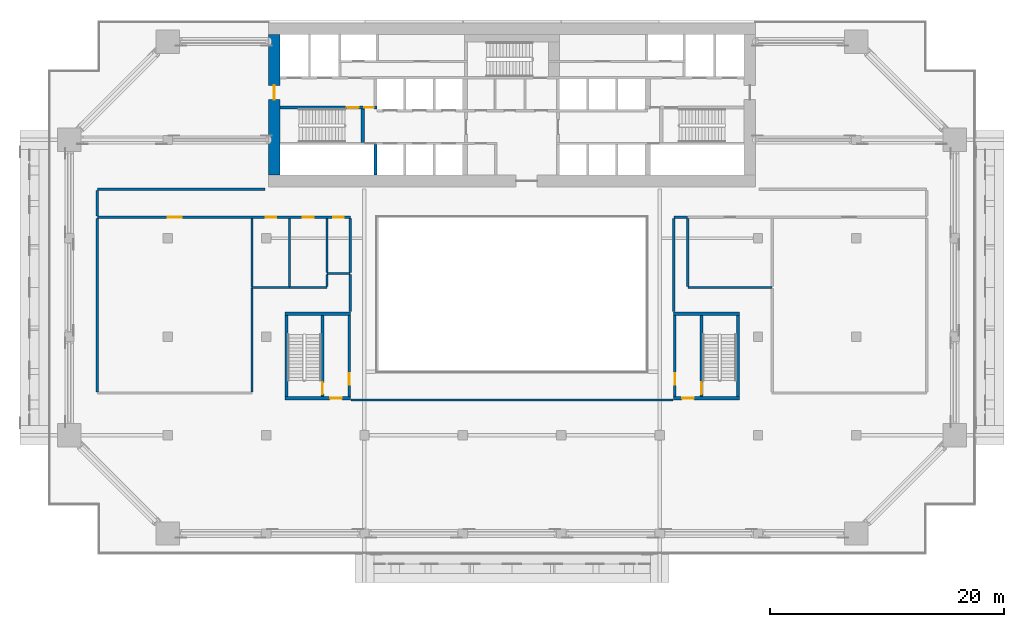
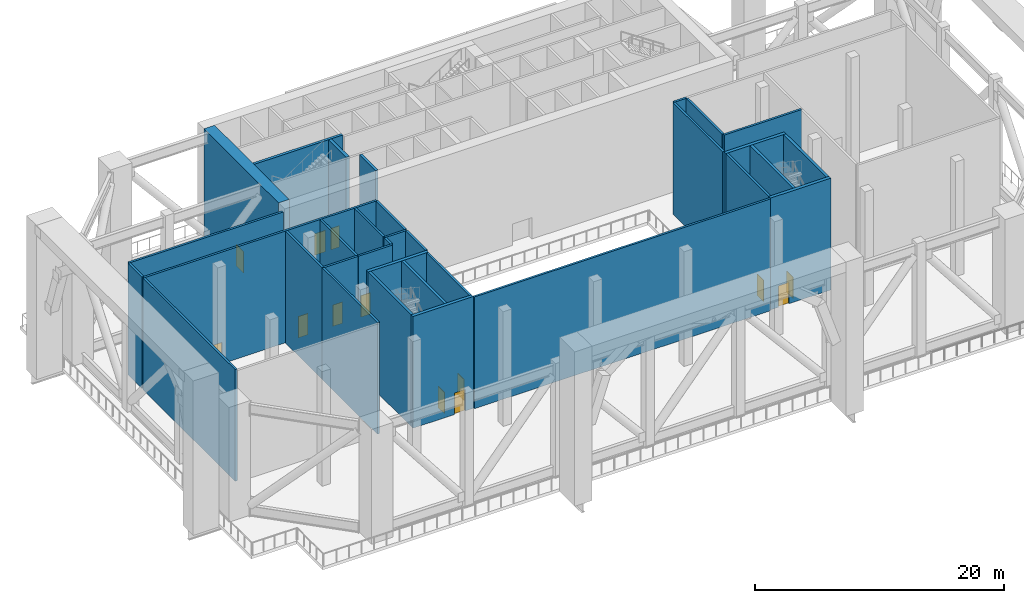
# One storey, part 4 of 19: 33 walls, 13 doors, 13 openings.
"""IFC4 building model written with IfcOpenShell, lengths in metres."""

import ifcopenshell
import ifcopenshell.guid

model = None  # the IFC model being written
_history = None  # IfcOwnerHistory: only IFC2X3 demands one
_inside = {}  # id of a spatial element -> (the spatial element, [elements in it])
_under = {}  # id of a project, library or spatial element -> (it, [spatial elements below it])
_declared = {}  # id of a project -> (the project, [libraries it declares])
_typed = {}  # id of a type object -> (the type object, [elements of that type])
_made_of = {}  # id of a material, layer set ... -> (it, [elements and type objects made of it])


def new_model(schema):
    """Start an empty IFC model of exactly this schema.

    Asked for "IFC4X3", IfcOpenShell would pick the latest addendum, in which some entities
    have other attributes; the version numbers below select the first issue.
    IFC2X3 requires an IfcOwnerHistory on every rooted entity: one is made here for all.
    """
    global model, _history
    if schema == "IFC4X3":
        model = ifcopenshell.file(schema_version=(4, 3, 0, 0))
    else:
        model = ifcopenshell.file(schema=schema)
    _inside.clear()
    _under.clear()
    _declared.clear()
    _typed.clear()
    _made_of.clear()
    _history = None
    if model.schema == "IFC2X3":
        org = make("IfcOrganization", Name="unknown")
        user = make(
            "IfcPersonAndOrganization",
            ThePerson=make("IfcPerson", FamilyName="unknown"),
            TheOrganization=org,
        )
        app = make(
            "IfcApplication",
            ApplicationDeveloper=org,
            Version="unknown",
            ApplicationFullName="unknown",
            ApplicationIdentifier="unknown",
        )
        _history = make(
            "IfcOwnerHistory",
            OwningUser=user,
            OwningApplication=app,
            ChangeAction="ADDED",
            CreationDate=0,
        )
    return model


def make(cls, **values):
    """One entity of the class cls with the attributes given. An attribute that is None is left unset."""
    return model.create_entity(
        cls, **{name: value for name, value in values.items() if value is not None}
    )


def rooted(cls, **values):
    """An entity with a GlobalId (a new one), such as an element, a storey or a relation."""
    return make(cls, GlobalId=ifcopenshell.guid.new(), OwnerHistory=_history, **values)


def si_unit(unit_type, name, prefix=None):
    """IfcSIUnit, for example si_unit("LENGTHUNIT", "METRE", prefix="MILLI")."""
    return make("IfcSIUnit", UnitType=unit_type, Prefix=prefix, Name=name)


def assignment(units):
    """IfcUnitAssignment: the units of a project."""
    return None if units is None else make("IfcUnitAssignment", Units=units)


def point(xyz):
    """IfcCartesianPoint."""
    return None if xyz is None else make("IfcCartesianPoint", Coordinates=xyz)


def direction(xyz):
    """IfcDirection."""
    return None if xyz is None else make("IfcDirection", DirectionRatios=xyz)


def frame(location, z_axis=None, x_axis=None):
    """IfcAxis2Placement3D, a coordinate frame: its origin and axes. An axis left out is left unset."""
    return make(
        "IfcAxis2Placement3D",
        Location=point(location),
        Axis=direction(z_axis),
        RefDirection=direction(x_axis),
    )


def frame_2d(location, x_axis=None):
    """IfcAxis2Placement2D, a coordinate frame in the plane: its origin and x axis."""
    return make(
        "IfcAxis2Placement2D", Location=point(location), RefDirection=direction(x_axis)
    )


def origin():
    """The frame at (0, 0, 0) with its axes left unset."""
    return frame((0.0, 0.0, 0.0))


def place(relative_to, where):
    """IfcLocalPlacement: puts the frame where relative to a parent placement (None: the world)."""
    return make(
        "IfcLocalPlacement", PlacementRelTo=relative_to, RelativePlacement=where
    )


def context(
    kind, dimensions, precision=None, world=None, true_north=None, identifier=None
):
    """IfcGeometricRepresentationContext, for example the 3D "Model" context."""
    return make(
        "IfcGeometricRepresentationContext",
        ContextIdentifier=identifier,
        ContextType=kind,
        CoordinateSpaceDimension=dimensions,
        Precision=precision,
        WorldCoordinateSystem=world,
        TrueNorth=true_north,
    )


def subcontext(parent, identifier, kind, view, scale=None):
    """IfcGeometricRepresentationSubContext, for example "Body" below "Model"."""
    return make(
        "IfcGeometricRepresentationSubContext",
        ContextIdentifier=identifier,
        ContextType=kind,
        ParentContext=parent,
        TargetScale=scale,
        TargetView=view,
    )


def project(units=None, contexts=None):
    """IfcProject with its units and contexts."""
    return rooted(
        "IfcProject",
        Name="project",
        RepresentationContexts=contexts,
        UnitsInContext=assignment(units),
    )


def spatial(cls, under=None, at=None, **own):
    """A site, building, storey or space (cls), placed at a placement, below another one or the project."""
    s = rooted(cls, ObjectPlacement=at, **own)
    if under is not None:
        _under.setdefault(under.id(), (under, []))[1].append(s)
    return s


def profile(cls, at=None, kind="AREA", **sizes):
    """A parametric profile (cls). Its sizes go by their IFC names, for example OverallWidth=200.0."""
    return make(cls, ProfileType=kind, Position=at, **sizes)


def rectangle(**sizes):
    """IfcRectangleProfileDef."""
    return profile("IfcRectangleProfileDef", **sizes)


def extrude(swept, where, along, depth):
    """IfcExtrudedAreaSolid: the profile swept, set in the frame where, extruded along a direction by depth."""
    return make(
        "IfcExtrudedAreaSolid",
        SweptArea=swept,
        Position=where,
        ExtrudedDirection=direction(along),
        Depth=depth,
    )


def shape(context_of_items, identifier, shape_type, items):
    """IfcShapeRepresentation: the items that make up one representation, for example the "Body"."""
    return make(
        "IfcShapeRepresentation",
        ContextOfItems=context_of_items,
        RepresentationIdentifier=identifier,
        RepresentationType=shape_type,
        Items=items,
    )


def material(Name=None, Category=None):
    """IfcMaterial."""
    return make("IfcMaterial", Name=Name, Category=Category)


def layer(
    of_material, thickness, ventilated=None, Name=None, Category=None, Priority=None
):
    """IfcMaterialLayer: one layer of a wall or slab, of a material (None: an air gap)."""
    return make(
        "IfcMaterialLayer",
        Material=of_material,
        LayerThickness=thickness,
        IsVentilated=ventilated,
        Name=Name,
        Category=Category,
        Priority=Priority,
    )


def layer_set(layers, Name=None):
    """IfcMaterialLayerSet."""
    return make("IfcMaterialLayerSet", MaterialLayers=layers, LayerSetName=Name)


def made_of(thing, what):
    """Note that an element or type object is made of a material, layer set ...; save() writes the relation."""
    if what is not None:
        _made_of.setdefault(what.id(), (what, []))[1].append(thing)
    return thing


def type_object(cls, material=None, **own):
    """A type object (cls), such as IfcWallType, which elements share."""
    return made_of(rooted(cls, **own), material)


def element(
    cls,
    number,
    at=None,
    inside=None,
    cuts=None,
    type_object=None,
    material=None,
    context=None,
    identifier="Body",
    shape_type=None,
    held_by="IfcProductDefinitionShape",
    body=None,
    shapes=None,
    **own,
):
    """One element of the class cls, such as IfcWall. Its Tag is "e" and its number.

    at: its placement. inside: the storey or other place that contains it. cuts: it is an
    opening in that element (IfcRelVoidsElement). A single representation is given by context,
    identifier, shape_type and body (its items); several are given by shapes. held_by: the class
    of the entity that holds the representations. save() writes the other relations.
    """
    e = rooted(cls, Tag="e%d" % number, ObjectPlacement=at, **own)
    if body is not None:
        shapes = [shape(context, identifier, shape_type, body)]
    if shapes is not None:
        e.Representation = make(held_by, Representations=shapes)
    if inside is not None:
        _inside.setdefault(inside.id(), (inside, []))[1].append(e)
    if cuts is not None:
        rooted(
            "IfcRelVoidsElement", RelatingBuildingElement=cuts, RelatedOpeningElement=e
        )
    if type_object is not None:
        _typed.setdefault(type_object.id(), (type_object, []))[1].append(e)
    return made_of(e, material)


def fill(opening, filler):
    """IfcRelFillsElement: the door or window that sits in an opening."""
    return rooted(
        "IfcRelFillsElement",
        RelatingOpeningElement=opening,
        RelatedBuildingElement=filler,
    )


def aggregate(whole, parts):
    """IfcRelAggregates: a whole, such as a stair, and the parts it consists of."""
    return rooted("IfcRelAggregates", RelatingObject=whole, RelatedObjects=parts)


def save(model, path):
    """Write the relations noted so far, then the file.

    IfcRelAggregates (storeys below a building ...), IfcRelContainedInSpatialStructure (elements
    in a storey), IfcRelDefinesByType, IfcRelAssociatesMaterial and IfcRelDeclares: one each for
    every whole, place, type object, material and project.
    """
    for whole, parts in _under.values():
        aggregate(whole, parts)
    for where, things in _inside.values():
        rooted(
            "IfcRelContainedInSpatialStructure",
            RelatedElements=things,
            RelatingStructure=where,
        )
    for kind, things in _typed.values():
        rooted("IfcRelDefinesByType", RelatedObjects=things, RelatingType=kind)
    for what, things in _made_of.values():
        rooted("IfcRelAssociatesMaterial", RelatedObjects=things, RelatingMaterial=what)
    for by, libraries in _declared.values():
        rooted("IfcRelDeclares", RelatingContext=by, RelatedDefinitions=libraries)
    model.write(path)


model = new_model("IFC4")

# Units and contexts
model_context = context("Model", 3, precision=1e-05, world=origin(), true_north=direction((0.0, 1.0)))
body_context = subcontext(model_context, "Body", "Model", "MODEL_VIEW")
ifc_project = project(units=[si_unit("LENGTHUNIT", "METRE"), si_unit("AREAUNIT", "SQUARE_METRE"), si_unit("VOLUMEUNIT", "CUBIC_METRE"), si_unit("PLANEANGLEUNIT", "RADIAN"), si_unit("MASSUNIT", "GRAM", prefix="KILO")], contexts=[model_context])

# Site, building, storey
site_placement = place(None, origin())
site = spatial("IfcSite", under=ifc_project, at=site_placement, CompositionType="ELEMENT")
building_placement = place(site_placement, origin())
building = spatial("IfcBuilding", under=site, at=building_placement, Name="Saffron Gate Tower", CompositionType="ELEMENT")
storey_placement = place(building_placement, frame((0.0, 0.0, 84.0)))
storey = spatial("IfcBuildingStorey", under=building, at=storey_placement, Name="L20", CompositionType="ELEMENT", Elevation=84.0)

# Wall, opening, door
ifc_material_1 = material(Name="Gypsum board partition on steel studs", Category="steel")
ifc_layer_1 = layer(ifc_material_1, 0.199951171875)
ifc_layer_set_1 = layer_set([ifc_layer_1], Name="CW10 Core partition 200")
wall_type_1 = type_object("IfcWallType", Name="CW10 Core partition 200", PredefinedType="PARTITIONING", material=ifc_layer_set_1)
wall_1_placement = place(storey_placement, frame((73.699951171875, 43.5, 0.0), z_axis=(0.0, 0.0, 1.0), x_axis=(0.0, 1.0, 0.0)))
wall_1 = element("IfcWall", 1, at=wall_1_placement, inside=storey, type_object=wall_type_1, Name="Wall CW10-L20-D-4", PredefinedType="PARTITIONING", context=body_context, shape_type="SweptSolid", body=[
    extrude(rectangle(XDim=6.89990234375, YDim=0.199951171875, at=frame_2d((3.449951171875, 0.0))), origin(), (0.0, 0.0, 1.0), 10.969970703125),
])
opening_1_placement = place(wall_1_placement, frame((1.0, 0.0, 0.0)))
opening_1 = element("IfcOpeningElement", 2, at=opening_1_placement, cuts=wall_1, Name="Opening CR-19", PredefinedType="OPENING", context=body_context, shape_type="SweptSolid", body=[
    extrude(rectangle(XDim=1.0, YDim=2.10009765625, at=frame_2d((0.5, 1.050048828125))), frame((0.0, 0.10986328125, 0.0), z_axis=(0.0, -1.0, 0.0), x_axis=(1.0, 0.0, 0.0)), (0.0, 0.0, 1.0), 0.219970703125),
])
ifc_material_2 = material(Name="Steel fire door set", Category="steel")
door_type_1 = type_object("IfcDoorType", Name="CD4 Lobby door 1000x2100 EI 120", OperationType="NOTDEFINED", PredefinedType="DOOR", material=ifc_material_2)
door_1_placement = place(opening_1_placement, origin())
door_1 = element("IfcDoor", 3, at=door_1_placement, inside=storey, type_object=door_type_1, Name="DOOR CR-19", OperationType="SINGLE_SWING_RIGHT", OverallHeight=2.10009765625, OverallWidth=1.0, PredefinedType="DOOR", context=body_context, shape_type="SweptSolid", body=[
    extrude(rectangle(XDim=1.0, YDim=2.10009765625, at=frame_2d((0.5, 1.050048828125))), frame((0.0, 0.02490234375, 0.0), z_axis=(0.0, -1.0, 0.0), x_axis=(1.0, 0.0, 0.0)), (0.0, 0.0, 1.0), 0.050048828125),
])
fill(opening_1, door_1)

wall_2_placement = place(storey_placement, frame((101.5, 43.5, 0.0), z_axis=(0.0, 0.0, 1.0), x_axis=(0.0, 1.0, 0.0)))
wall_2 = element("IfcWall", 4, at=wall_2_placement, inside=storey, type_object=wall_type_1, Name="Wall CW10-L20-E-2", PredefinedType="PARTITIONING", context=body_context, shape_type="SweptSolid", body=[
    extrude(rectangle(XDim=6.89990234375, YDim=0.199951171875, at=frame_2d((3.449951171875, 0.0))), origin(), (0.0, 0.0, 1.0), 10.969970703125),
])
opening_2_placement = place(wall_2_placement, frame((1.0, 0.0, 0.0)))
opening_2 = element("IfcOpeningElement", 5, at=opening_2_placement, cuts=wall_2, Name="Opening CR-22", PredefinedType="OPENING", context=body_context, shape_type="SweptSolid", body=[
    extrude(rectangle(XDim=1.0, YDim=2.10009765625, at=frame_2d((0.5, 1.050048828125))), frame((0.0, 0.10986328125, 0.0), z_axis=(0.0, -1.0, 0.0), x_axis=(1.0, 0.0, 0.0)), (0.0, 0.0, 1.0), 0.219970703125),
])
door_2_placement = place(opening_2_placement, origin())
door_2 = element("IfcDoor", 6, at=door_2_placement, inside=storey, type_object=door_type_1, Name="DOOR CR-22", OperationType="SINGLE_SWING_LEFT", OverallHeight=2.10009765625, OverallWidth=1.0, PredefinedType="DOOR", context=body_context, shape_type="SweptSolid", body=[
    extrude(rectangle(XDim=1.0, YDim=2.10009765625, at=frame_2d((0.5, 1.050048828125))), frame((0.0, 0.02490234375, 0.0), z_axis=(0.0, -1.0, 0.0), x_axis=(1.0, 0.0, 0.0)), (0.0, 0.0, 1.0), 0.050048828125),
])
fill(opening_2, door_2)

ifc_material_3 = material(Name="Concrete C70", Category="concrete")
ifc_layer_2 = layer(ifc_material_3, 1.0)
ifc_layer_set_2 = layer_set([ifc_layer_2], Name="CW12 RC core wall 1000 C70")
wall_type_2 = type_object("IfcWallType", Name="CW12 RC core wall 1000 C70", PredefinedType="SOLIDWALL", material=ifc_layer_set_2)
wall_3_placement = place(storey_placement, frame((67.300048828125, 62.39990234375, 0.0), z_axis=(0.0, 0.0, 1.0), x_axis=(0.0, 1.0, 0.0)))
wall_3 = element("IfcWall", 7, at=wall_3_placement, inside=storey, type_object=wall_type_2, Name="Wall CW12-L20-3", PredefinedType="SOLIDWALL", context=body_context, shape_type="SweptSolid", body=[
    extrude(rectangle(XDim=12.0, YDim=1.0, at=frame_2d((6.0, 0.0))), origin(), (0.0, 0.0, 1.0), 10.969970703125),
])
opening_3_placement = place(wall_3_placement, frame((6.449951171875, 0.0, 0.0)))
opening_3 = element("IfcOpeningElement", 8, at=opening_3_placement, cuts=wall_3, Name="Opening CR-10", PredefinedType="OPENING", context=body_context, shape_type="SweptSolid", body=[
    extrude(rectangle(XDim=1.199951171875, YDim=2.10009765625, at=frame_2d((0.60009765625, 1.050048828125))), frame((0.0, 0.510009765625, 0.0), z_axis=(0.0, -1.0, 0.0), x_axis=(1.0, 0.0, 0.0)), (0.0, 0.0, 1.0), 1.02001953125),
])
door_type_2 = type_object("IfcDoorType", Name="CD7 Core entrance door 1200x2100 EI 120", OperationType="NOTDEFINED", PredefinedType="DOOR", material=ifc_material_2)
door_3_placement = place(opening_3_placement, origin())
door_3 = element("IfcDoor", 9, at=door_3_placement, inside=storey, type_object=door_type_2, Name="DOOR CR-10", OperationType="SINGLE_SWING_LEFT", OverallHeight=2.10009765625, OverallWidth=1.199951171875, PredefinedType="DOOR", context=body_context, shape_type="SweptSolid", body=[
    extrude(rectangle(XDim=1.199951171875, YDim=2.10009765625, at=frame_2d((0.60009765625, 1.050048828125))), frame((0.0, 0.02490234375, 0.0), z_axis=(0.0, -1.0, 0.0), x_axis=(1.0, 0.0, 0.0)), (0.0, 0.0, 1.0), 0.050048828125),
])
fill(opening_3, door_3)

# Wall
ifc_layer_3 = layer(ifc_material_3, 0.25)
ifc_layer_set_3 = layer_set([ifc_layer_3], Name="CW2 RC core wall 250 C70")
wall_type_3 = type_object("IfcWallType", Name="CW2 RC core wall 250 C70", PredefinedType="SOLIDWALL", material=ifc_layer_set_3)
wall_4_placement = place(storey_placement, frame((75.925048828125, 62.39990234375, 0.0), z_axis=(0.0, 0.0, 1.0), x_axis=(0.0, 1.0, 0.0)))
element("IfcWall", 10, at=wall_4_placement, inside=storey, type_object=wall_type_3, Name="Wall CW2-L20-5", PredefinedType="SOLIDWALL", context=body_context, shape_type="SweptSolid", body=[
    extrude(rectangle(XDim=2.60009765625, YDim=0.25, at=frame_2d((1.300048828125, 0.0))), origin(), (0.0, 0.0, 1.0), 10.969970703125),
])

# Wall, openings, doors
wall_5_placement = place(storey_placement, frame((67.800048828125, 68.175048828125, 0.0), z_axis=(0.0, 0.0, 1.0), x_axis=(1.0, 0.0, 0.0)))
wall_5 = element("IfcWall", 11, at=wall_5_placement, inside=storey, type_object=wall_type_3, Name="Wall CW2-L20-30", PredefinedType="SOLIDWALL", context=body_context, shape_type="SweptSolid", body=[
    extrude(rectangle(XDim=8.25, YDim=0.25, at=frame_2d((4.125, 0.0))), origin(), (0.0, 0.0, 1.0), 10.969970703125),
])
opening_4_placement = place(wall_5_placement, frame((5.699951171875, 0.0, 0.0)))
opening_4 = element("IfcOpeningElement", 12, at=opening_4_placement, cuts=wall_5, Name="Opening CR-15", PredefinedType="OPENING", context=body_context, shape_type="SweptSolid", body=[
    extrude(rectangle(XDim=1.0, YDim=2.10009765625, at=frame_2d((0.5, 1.050048828125))), frame((0.0, 0.135009765625, 0.0), z_axis=(0.0, -1.0, 0.0), x_axis=(1.0, 0.0, 0.0)), (0.0, 0.0, 1.0), 0.27001953125),
])
opening_5_placement = place(wall_5_placement, frame((7.199951171875, 0.0, 0.0)))
opening_5 = element("IfcOpeningElement", 13, at=opening_5_placement, cuts=wall_5, Name="Opening CR-06", PredefinedType="OPENING", context=body_context, shape_type="SweptSolid", body=[
    extrude(rectangle(XDim=0.800048828125, YDim=2.10009765625, at=frame_2d((0.39990234375, 1.050048828125))), frame((0.0, 0.135009765625, 0.0), z_axis=(0.0, -1.0, 0.0), x_axis=(1.0, 0.0, 0.0)), (0.0, 0.0, 1.0), 0.27001953125),
])
door_type_3 = type_object("IfcDoorType", Name="CD5 Stair door 1000x2100 EI 120", OperationType="NOTDEFINED", PredefinedType="DOOR", material=ifc_material_2)
door_4_placement = place(opening_4_placement, origin())
door_4 = element("IfcDoor", 14, at=door_4_placement, inside=storey, type_object=door_type_3, Name="DOOR CR-15", OperationType="SINGLE_SWING_RIGHT", OverallHeight=2.10009765625, OverallWidth=1.0, PredefinedType="DOOR", context=body_context, shape_type="SweptSolid", body=[
    extrude(rectangle(XDim=1.0, YDim=2.10009765625, at=frame_2d((0.5, 1.050048828125))), frame((0.0, 0.02490234375, 0.0), z_axis=(0.0, -1.0, 0.0), x_axis=(1.0, 0.0, 0.0)), (0.0, 0.0, 1.0), 0.050048828125),
])
fill(opening_4, door_4)
door_type_4 = type_object("IfcDoorType", Name="CD6 Lobby door 800x2100 EI 120", OperationType="NOTDEFINED", PredefinedType="DOOR", material=ifc_material_2)
door_5_placement = place(opening_5_placement, origin())
door_5 = element("IfcDoor", 15, at=door_5_placement, inside=storey, type_object=door_type_4, Name="DOOR CR-06", OperationType="SINGLE_SWING_LEFT", OverallHeight=2.10009765625, OverallWidth=0.800048828125, PredefinedType="DOOR", context=body_context, shape_type="SweptSolid", body=[
    extrude(rectangle(XDim=0.800048828125, YDim=2.10009765625, at=frame_2d((0.39990234375, 1.050048828125))), frame((0.0, 0.02490234375, 0.0), z_axis=(0.0, -1.0, 0.0), x_axis=(1.0, 0.0, 0.0)), (0.0, 0.0, 1.0), 0.050048828125),
])
fill(opening_5, door_5)

# Wall
wall_6_placement = place(storey_placement, frame((68.324951171875, 43.5, 0.0), z_axis=(0.0, 0.0, 1.0), x_axis=(0.0, 1.0, 0.0)))
element("IfcWall", 16, at=wall_6_placement, inside=storey, type_object=wall_type_3, Name="Wall CW2-L20-D-2", PredefinedType="SOLIDWALL", context=body_context, shape_type="SweptSolid", body=[
    extrude(rectangle(XDim=6.89990234375, YDim=0.25, at=frame_2d((3.449951171875, 0.0))), origin(), (0.0, 0.0, 1.0), 10.969970703125),
])

# Wall, opening, door
wall_7_placement = place(storey_placement, frame((71.425048828125, 43.5, 0.0), z_axis=(0.0, 0.0, 1.0), x_axis=(0.0, 1.0, 0.0)))
wall_7 = element("IfcWall", 17, at=wall_7_placement, inside=storey, type_object=wall_type_3, Name="Wall CW2-L20-D-3", PredefinedType="SOLIDWALL", context=body_context, shape_type="SweptSolid", body=[
    extrude(rectangle(XDim=6.89990234375, YDim=0.25, at=frame_2d((3.449951171875, 0.0))), origin(), (0.0, 0.0, 1.0), 10.969970703125),
])
opening_6_placement = place(wall_7_placement, frame((0.199951171875, 0.0, 0.0)))
opening_6 = element("IfcOpeningElement", 18, at=opening_6_placement, cuts=wall_7, Name="Opening CR-20", PredefinedType="OPENING", context=body_context, shape_type="SweptSolid", body=[
    extrude(rectangle(XDim=1.0, YDim=2.10009765625, at=frame_2d((0.5, 1.050048828125))), frame((0.0, 0.135009765625, 0.0), z_axis=(0.0, -1.0, 0.0), x_axis=(1.0, 0.0, 0.0)), (0.0, 0.0, 1.0), 0.27001953125),
])
door_6_placement = place(opening_6_placement, origin())
door_6 = element("IfcDoor", 19, at=door_6_placement, inside=storey, type_object=door_type_3, Name="DOOR CR-20", OperationType="SINGLE_SWING_LEFT", OverallHeight=2.10009765625, OverallWidth=1.0, PredefinedType="DOOR", context=body_context, shape_type="SweptSolid", body=[
    extrude(rectangle(XDim=1.0, YDim=2.10009765625, at=frame_2d((0.5, 1.050048828125))), frame((0.0, 0.02490234375, 0.0), z_axis=(0.0, -1.0, 0.0), x_axis=(1.0, 0.0, 0.0)), (0.0, 0.0, 1.0), 0.050048828125),
])
fill(opening_6, door_6)

wall_8_placement = place(storey_placement, frame((103.77490234375, 43.5, 0.0), z_axis=(0.0, 0.0, 1.0), x_axis=(0.0, 1.0, 0.0)))
wall_8 = element("IfcWall", 20, at=wall_8_placement, inside=storey, type_object=wall_type_3, Name="Wall CW2-L20-E-3", PredefinedType="SOLIDWALL", context=body_context, shape_type="SweptSolid", body=[
    extrude(rectangle(XDim=6.89990234375, YDim=0.25, at=frame_2d((3.449951171875, 0.0))), origin(), (0.0, 0.0, 1.0), 10.969970703125),
])
opening_7_placement = place(wall_8_placement, frame((0.199951171875, 0.0, 0.0)))
opening_7 = element("IfcOpeningElement", 21, at=opening_7_placement, cuts=wall_8, Name="Opening CR-23", PredefinedType="OPENING", context=body_context, shape_type="SweptSolid", body=[
    extrude(rectangle(XDim=1.0, YDim=2.10009765625, at=frame_2d((0.5, 1.050048828125))), frame((0.0, 0.135009765625, 0.0), z_axis=(0.0, -1.0, 0.0), x_axis=(1.0, 0.0, 0.0)), (0.0, 0.0, 1.0), 0.27001953125),
])
door_7_placement = place(opening_7_placement, origin())
door_7 = element("IfcDoor", 22, at=door_7_placement, inside=storey, type_object=door_type_3, Name="DOOR CR-23", OperationType="SINGLE_SWING_RIGHT", OverallHeight=2.10009765625, OverallWidth=1.0, PredefinedType="DOOR", context=body_context, shape_type="SweptSolid", body=[
    extrude(rectangle(XDim=1.0, YDim=2.10009765625, at=frame_2d((0.5, 1.050048828125))), frame((0.0, 0.02490234375, 0.0), z_axis=(0.0, -1.0, 0.0), x_axis=(1.0, 0.0, 0.0)), (0.0, 0.0, 1.0), 0.050048828125),
])
fill(opening_7, door_7)

# Walls
wall_9_placement = place(storey_placement, frame((106.875, 43.5, 0.0), z_axis=(0.0, 0.0, 1.0), x_axis=(0.0, 1.0, 0.0)))
element("IfcWall", 23, at=wall_9_placement, inside=storey, type_object=wall_type_3, Name="Wall CW2-L20-E-4", PredefinedType="SOLIDWALL", context=body_context, shape_type="SweptSolid", body=[
    extrude(rectangle(XDim=6.89990234375, YDim=0.25, at=frame_2d((3.449951171875, 0.0))), origin(), (0.0, 0.0, 1.0), 10.969970703125),
])
ifc_layer_4 = layer(ifc_material_3, 0.300048828125)
ifc_layer_set_4 = layer_set([ifc_layer_4], Name="CW5 RC core wall 300 C70")
wall_type_4 = type_object("IfcWallType", Name="CW5 RC core wall 300 C70", PredefinedType="SOLIDWALL", material=ifc_layer_set_4)
wall_10_placement = place(storey_placement, frame((74.85009765625, 65.199951171875, 0.0), z_axis=(0.0, 0.0, 1.0), x_axis=(0.0, 1.0, 0.0)))
element("IfcWall", 24, at=wall_10_placement, inside=storey, type_object=wall_type_4, Name="Wall CW5-L20-16", PredefinedType="SOLIDWALL", context=body_context, shape_type="SweptSolid", body=[
    extrude(rectangle(XDim=2.85009765625, YDim=0.300048828125, at=frame_2d((1.425048828125, 0.0))), origin(), (0.0, 0.0, 1.0), 10.969970703125),
])

# Wall, opening, door
wall_11_placement = place(storey_placement, frame((68.199951171875, 43.35009765625, 0.0), z_axis=(0.0, 0.0, 1.0), x_axis=(1.0, 0.0, 0.0)))
wall_11 = element("IfcWall", 25, at=wall_11_placement, inside=storey, type_object=wall_type_4, Name="Wall CW5-L20-D-1", PredefinedType="SOLIDWALL", context=body_context, shape_type="SweptSolid", body=[
    extrude(rectangle(XDim=5.60009765625, YDim=0.300048828125, at=frame_2d((2.800048828125, 0.0))), origin(), (0.0, 0.0, 1.0), 10.969970703125),
])
opening_8_placement = place(wall_11_placement, frame((3.875, 0.0, 0.0)))
opening_8 = element("IfcOpeningElement", 26, at=opening_8_placement, cuts=wall_11, Name="Opening CR-18", PredefinedType="OPENING", context=body_context, shape_type="SweptSolid", body=[
    extrude(rectangle(XDim=1.0, YDim=2.10009765625, at=frame_2d((0.5, 1.050048828125))), frame((0.0, 0.16015625, 0.0), z_axis=(0.0, -1.0, 0.0), x_axis=(1.0, 0.0, 0.0)), (0.0, 0.0, 1.0), 0.320068359375),
])
door_8_placement = place(opening_8_placement, origin())
door_8 = element("IfcDoor", 27, at=door_8_placement, inside=storey, type_object=door_type_1, Name="DOOR CR-18", OperationType="SINGLE_SWING_RIGHT", OverallHeight=2.10009765625, OverallWidth=1.0, PredefinedType="DOOR", context=body_context, shape_type="SweptSolid", body=[
    extrude(rectangle(XDim=1.0, YDim=2.10009765625, at=frame_2d((0.5, 1.050048828125))), frame((0.0, 0.02490234375, 0.0), z_axis=(0.0, -1.0, 0.0), x_axis=(1.0, 0.0, 0.0)), (0.0, 0.0, 1.0), 0.050048828125),
])
fill(opening_8, door_8)

# Wall
wall_12_placement = place(storey_placement, frame((68.199951171875, 50.550048828125, 0.0), z_axis=(0.0, 0.0, 1.0), x_axis=(1.0, 0.0, 0.0)))
element("IfcWall", 28, at=wall_12_placement, inside=storey, type_object=wall_type_4, Name="Wall CW5-L20-D-5", PredefinedType="SOLIDWALL", context=body_context, shape_type="SweptSolid", body=[
    extrude(rectangle(XDim=5.60009765625, YDim=0.300048828125, at=frame_2d((2.800048828125, 0.0))), origin(), (0.0, 0.0, 1.0), 10.969970703125),
])

# Wall, opening, door
wall_13_placement = place(storey_placement, frame((101.39990234375, 43.35009765625, 0.0), z_axis=(0.0, 0.0, 1.0), x_axis=(1.0, 0.0, 0.0)))
wall_13 = element("IfcWall", 29, at=wall_13_placement, inside=storey, type_object=wall_type_4, Name="Wall CW5-L20-E-1", PredefinedType="SOLIDWALL", context=body_context, shape_type="SweptSolid", body=[
    extrude(rectangle(XDim=5.60009765625, YDim=0.300048828125, at=frame_2d((2.800048828125, 0.0))), origin(), (0.0, 0.0, 1.0), 10.969970703125),
])
opening_9_placement = place(wall_13_placement, frame((0.72509765625, 0.0, 0.0)))
opening_9 = element("IfcOpeningElement", 30, at=opening_9_placement, cuts=wall_13, Name="Opening CR-21", PredefinedType="OPENING", context=body_context, shape_type="SweptSolid", body=[
    extrude(rectangle(XDim=1.0, YDim=2.10009765625, at=frame_2d((0.5, 1.050048828125))), frame((0.0, 0.16015625, 0.0), z_axis=(0.0, -1.0, 0.0), x_axis=(1.0, 0.0, 0.0)), (0.0, 0.0, 1.0), 0.320068359375),
])
door_9_placement = place(opening_9_placement, origin())
door_9 = element("IfcDoor", 31, at=door_9_placement, inside=storey, type_object=door_type_1, Name="DOOR CR-21", OperationType="SINGLE_SWING_RIGHT", OverallHeight=2.10009765625, OverallWidth=1.0, PredefinedType="DOOR", context=body_context, shape_type="SweptSolid", body=[
    extrude(rectangle(XDim=1.0, YDim=2.10009765625, at=frame_2d((0.5, 1.050048828125))), frame((0.0, 0.02490234375, 0.0), z_axis=(0.0, -1.0, 0.0), x_axis=(1.0, 0.0, 0.0)), (0.0, 0.0, 1.0), 0.050048828125),
])
fill(opening_9, door_9)

# Walls
wall_14_placement = place(storey_placement, frame((101.39990234375, 50.550048828125, 0.0), z_axis=(0.0, 0.0, 1.0), x_axis=(1.0, 0.0, 0.0)))
element("IfcWall", 32, at=wall_14_placement, inside=storey, type_object=wall_type_4, Name="Wall CW5-L20-E-5", PredefinedType="SOLIDWALL", context=body_context, shape_type="SweptSolid", body=[
    extrude(rectangle(XDim=5.60009765625, YDim=0.300048828125, at=frame_2d((2.800048828125, 0.0))), origin(), (0.0, 0.0, 1.0), 10.969970703125),
])
ifc_material_4 = material(Name="Clay brick masonry, rendered", Category="masonry")
ifc_layer_5 = layer(ifc_material_4, 0.199951171875)
ifc_layer_set_5 = layer_set([ifc_layer_5], Name="PW2 Demising wall 200")
wall_type_5 = type_object("IfcWallType", Name="PW2 Demising wall 200", PredefinedType="PARTITIONING", material=ifc_layer_set_5)
wall_15_placement = place(storey_placement, frame((68.60009765625, 58.699951171875, 0.0), z_axis=(0.0, 0.0, 1.0), x_axis=(0.0, -1.0, 0.0)))
element("IfcWall", 33, at=wall_15_placement, inside=storey, type_object=wall_type_5, Name="Wall X1-17", PredefinedType="PARTITIONING", context=body_context, shape_type="SweptSolid", body=[
    extrude(rectangle(XDim=5.800048828125, YDim=0.199951171875, at=frame_2d((2.89990234375, 0.0))), origin(), (0.0, 0.0, 1.0), 10.969970703125),
])
wall_16_placement = place(storey_placement, frame((71.800048828125, 58.699951171875, 0.0), z_axis=(0.0, 0.0, 1.0), x_axis=(0.0, -1.0, 0.0)))
element("IfcWall", 34, at=wall_16_placement, inside=storey, type_object=wall_type_5, Name="Wall X1-18", PredefinedType="PARTITIONING", context=body_context, shape_type="SweptSolid", body=[
    extrude(rectangle(XDim=4.599853515625, YDim=0.199951171875, at=frame_2d((2.2998046875, 0.0))), origin(), (0.0, 0.0, 1.0), 10.969970703125),
])

# Wall, openings, doors
ifc_layer_6 = layer(ifc_material_4, 0.199951171875)
ifc_layer_set_6 = layer_set([ifc_layer_6], Name="PW3 Corridor wall 200")
wall_type_6 = type_object("IfcWallType", Name="PW3 Corridor wall 200", PredefinedType="PARTITIONING", material=ifc_layer_set_6)
wall_17_placement = place(storey_placement, frame((73.800048828125, 58.800048828125, 0.0), z_axis=(0.0, 0.0, 1.0), x_axis=(-1.0, 0.0, 0.0)))
wall_17 = element("IfcWall", 35, at=wall_17_placement, inside=storey, type_object=wall_type_6, Name="Wall X1-8", PredefinedType="PARTITIONING", context=body_context, shape_type="SweptSolid", body=[
    extrude(rectangle(XDim=21.60009765625, YDim=0.199951171875, at=frame_2d((10.800048828125, 0.0))), origin(), (0.0, 0.0, 1.0), 10.969970703125),
])
opening_10_placement = place(wall_17_placement, frame((0.550048828125, 0.0, 0.0)))
opening_10 = element("IfcOpeningElement", 36, at=opening_10_placement, cuts=wall_17, Name="Opening X1-2", PredefinedType="OPENING", context=body_context, shape_type="SweptSolid", body=[
    extrude(rectangle(XDim=0.89990234375, YDim=2.10009765625, at=frame_2d((0.449951171875, 1.050048828125))), frame((0.0, 0.10986328125, 0.0), z_axis=(0.0, -1.0, 0.0), x_axis=(1.0, 0.0, 0.0)), (0.0, 0.0, 1.0), 0.219970703125),
])
opening_11_placement = place(wall_17_placement, frame((3.14990234375, 0.0, 0.0)))
opening_11 = element("IfcOpeningElement", 37, at=opening_11_placement, cuts=wall_17, Name="Opening X1-3", PredefinedType="OPENING", context=body_context, shape_type="SweptSolid", body=[
    extrude(rectangle(XDim=0.89990234375, YDim=2.10009765625, at=frame_2d((0.449951171875, 1.050048828125))), frame((0.0, 0.10986328125, 0.0), z_axis=(0.0, -1.0, 0.0), x_axis=(1.0, 0.0, 0.0)), (0.0, 0.0, 1.0), 0.219970703125),
])
opening_12_placement = place(wall_17_placement, frame((6.35009765625, 0.0, 0.0)))
opening_12 = element("IfcOpeningElement", 38, at=opening_12_placement, cuts=wall_17, Name="Opening X1-4", PredefinedType="OPENING", context=body_context, shape_type="SweptSolid", body=[
    extrude(rectangle(XDim=0.89990234375, YDim=2.10009765625, at=frame_2d((0.449951171875, 1.050048828125))), frame((0.0, 0.10986328125, 0.0), z_axis=(0.0, -1.0, 0.0), x_axis=(1.0, 0.0, 0.0)), (0.0, 0.0, 1.0), 0.219970703125),
])
opening_13_placement = place(wall_17_placement, frame((14.39990234375, 0.0, 0.0)))
opening_13 = element("IfcOpeningElement", 39, at=opening_13_placement, cuts=wall_17, Name="Opening X1-6", PredefinedType="OPENING", context=body_context, shape_type="SweptSolid", body=[
    extrude(rectangle(XDim=1.199951171875, YDim=2.10009765625, at=frame_2d((0.60009765625, 1.050048828125))), frame((0.0, 0.10986328125, 0.0), z_axis=(0.0, -1.0, 0.0), x_axis=(1.0, 0.0, 0.0)), (0.0, 0.0, 1.0), 0.219970703125),
])
ifc_material_5 = material(Name="Timber door set", Category="wood")
door_type_5 = type_object("IfcDoorType", Name="HD1 Hall door 1200x2100", OperationType="NOTDEFINED", PredefinedType="DOOR", material=ifc_material_5)
door_10_placement = place(opening_13_placement, origin())
door_10 = element("IfcDoor", 40, at=door_10_placement, inside=storey, type_object=door_type_5, Name="Door X1-6", OperationType="SINGLE_SWING_RIGHT", OverallHeight=2.10009765625, OverallWidth=1.199951171875, PredefinedType="DOOR", context=body_context, shape_type="SweptSolid", body=[
    extrude(rectangle(XDim=1.199951171875, YDim=2.10009765625, at=frame_2d((0.60009765625, 1.050048828125))), frame((0.0, 0.02490234375, 0.0), z_axis=(0.0, -1.0, 0.0), x_axis=(1.0, 0.0, 0.0)), (0.0, 0.0, 1.0), 0.050048828125),
])
fill(opening_13, door_10)
door_type_6 = type_object("IfcDoorType", Name="RD1 Room door 900x2100", OperationType="NOTDEFINED", PredefinedType="DOOR", material=ifc_material_5)
door_11_placement = place(opening_10_placement, origin())
door_11 = element("IfcDoor", 41, at=door_11_placement, inside=storey, type_object=door_type_6, Name="Door X1-2", OperationType="SINGLE_SWING_RIGHT", OverallHeight=2.10009765625, OverallWidth=0.89990234375, PredefinedType="DOOR", context=body_context, shape_type="SweptSolid", body=[
    extrude(rectangle(XDim=0.89990234375, YDim=2.10009765625, at=frame_2d((0.449951171875, 1.050048828125))), frame((0.0, 0.02490234375, 0.0), z_axis=(0.0, -1.0, 0.0), x_axis=(1.0, 0.0, 0.0)), (0.0, 0.0, 1.0), 0.050048828125),
])
fill(opening_10, door_11)
door_12_placement = place(opening_11_placement, origin())
door_12 = element("IfcDoor", 42, at=door_12_placement, inside=storey, type_object=door_type_6, Name="Door X1-3", OperationType="SINGLE_SWING_LEFT", OverallHeight=2.10009765625, OverallWidth=0.89990234375, PredefinedType="DOOR", context=body_context, shape_type="SweptSolid", body=[
    extrude(rectangle(XDim=0.89990234375, YDim=2.10009765625, at=frame_2d((0.449951171875, 1.050048828125))), frame((0.0, 0.02490234375, 0.0), z_axis=(0.0, -1.0, 0.0), x_axis=(1.0, 0.0, 0.0)), (0.0, 0.0, 1.0), 0.050048828125),
])
fill(opening_11, door_12)
door_13_placement = place(opening_12_placement, origin())
door_13 = element("IfcDoor", 43, at=door_13_placement, inside=storey, type_object=door_type_6, Name="Door X1-4", OperationType="SINGLE_SWING_RIGHT", OverallHeight=2.10009765625, OverallWidth=0.89990234375, PredefinedType="DOOR", context=body_context, shape_type="SweptSolid", body=[
    extrude(rectangle(XDim=0.89990234375, YDim=2.10009765625, at=frame_2d((0.449951171875, 1.050048828125))), frame((0.0, 0.02490234375, 0.0), z_axis=(0.0, -1.0, 0.0), x_axis=(1.0, 0.0, 0.0)), (0.0, 0.0, 1.0), 0.050048828125),
])
fill(opening_12, door_13)

# Walls
wall_18_placement = place(storey_placement, frame((73.800048828125, 58.699951171875, 0.0), z_axis=(0.0, 0.0, 1.0), x_axis=(0.0, -1.0, 0.0)))
element("IfcWall", 44, at=wall_18_placement, inside=storey, type_object=wall_type_6, Name="Wall X1-20", PredefinedType="PARTITIONING", context=body_context, shape_type="SweptSolid", body=[
    extrude(rectangle(XDim=4.599853515625, YDim=0.199951171875, at=frame_2d((2.2998046875, 0.0))), origin(), (0.0, 0.0, 1.0), 10.969970703125),
])
ifc_layer_7 = layer(ifc_material_4, 0.199951171875)
ifc_layer_set_7 = layer_set([ifc_layer_7], Name="PW5 Room wall 200")
wall_type_7 = type_object("IfcWallType", Name="PW5 Room wall 200", PredefinedType="PARTITIONING", material=ifc_layer_set_7)
wall_19_placement = place(storey_placement, frame((73.85009765625, 43.199951171875, 0.0), z_axis=(0.0, 0.0, 1.0), x_axis=(1.0, 0.0, 0.0)))
element("IfcWall", 45, at=wall_19_placement, inside=storey, type_object=wall_type_7, Name="Wall X1-1", PredefinedType="PARTITIONING", context=body_context, shape_type="SweptSolid", body=[
    extrude(rectangle(XDim=27.5, YDim=0.199951171875, at=frame_2d((13.75, 0.0))), origin(), (0.0, 0.0, 1.0), 10.969970703125),
])
wall_20_placement = place(storey_placement, frame((65.419921875, 52.800048828125, 0.0), z_axis=(0.0, 0.0, 1.0), x_axis=(1.0, 0.0, 0.0)))
element("IfcWall", 46, at=wall_20_placement, inside=storey, type_object=wall_type_7, Name="Wall X1-4", PredefinedType="PARTITIONING", context=body_context, shape_type="SweptSolid", body=[
    extrude(rectangle(XDim=3.16015625, YDim=0.199951171875, at=frame_2d((1.580078125, 0.0))), origin(), (0.0, 0.0, 1.0), 10.969970703125),
])
wall_21_placement = place(storey_placement, frame((68.6201171875, 52.800048828125, 0.0), z_axis=(0.0, 0.0, 1.0), x_axis=(1.0, 0.0, 0.0)))
element("IfcWall", 47, at=wall_21_placement, inside=storey, type_object=wall_type_7, Name="Wall X1-5", PredefinedType="PARTITIONING", context=body_context, shape_type="SweptSolid", body=[
    extrude(rectangle(XDim=3.179931640625, YDim=0.199951171875, at=frame_2d((1.58984375, 0.0))), origin(), (0.0, 0.0, 1.0), 10.969970703125),
])
wall_22_placement = place(storey_placement, frame((102.60009765625, 52.800048828125, 0.0), z_axis=(0.0, 0.0, 1.0), x_axis=(1.0, 0.0, 0.0)))
element("IfcWall", 48, at=wall_22_placement, inside=storey, type_object=wall_type_7, Name="Wall X1-6", PredefinedType="PARTITIONING", context=body_context, shape_type="SweptSolid", body=[
    extrude(rectangle(XDim=7.179931640625, YDim=0.199951171875, at=frame_2d((3.58984375, 0.0))), origin(), (0.0, 0.0, 1.0), 10.969970703125),
])
wall_23_placement = place(storey_placement, frame((71.820068359375, 54.0, 0.0), z_axis=(0.0, 0.0, 1.0), x_axis=(1.0, 0.0, 0.0)))
element("IfcWall", 49, at=wall_23_placement, inside=storey, type_object=wall_type_7, Name="Wall X1-7", PredefinedType="PARTITIONING", context=body_context, shape_type="SweptSolid", body=[
    extrude(rectangle(XDim=1.9599609375, YDim=0.199951171875, at=frame_2d((0.97998046875, 0.0))), origin(), (0.0, 0.0, 1.0), 10.969970703125),
])
wall_24_placement = place(storey_placement, frame((101.419921875, 58.800048828125, 0.0), z_axis=(0.0, 0.0, 1.0), x_axis=(1.0, 0.0, 0.0)))
element("IfcWall", 50, at=wall_24_placement, inside=storey, type_object=wall_type_7, Name="Wall X1-10", PredefinedType="PARTITIONING", context=body_context, shape_type="SweptSolid", body=[
    extrude(rectangle(XDim=1.16015625, YDim=0.199951171875, at=frame_2d((0.580078125, 0.0))), origin(), (0.0, 0.0, 1.0), 10.969970703125),
])
wall_25_placement = place(storey_placement, frame((52.199951171875, 61.199951171875, 0.0), z_axis=(0.0, 0.0, 1.0), x_axis=(1.0, 0.0, 0.0)))
element("IfcWall", 51, at=wall_25_placement, inside=storey, type_object=wall_type_7, Name="Wall X1-11", PredefinedType="PARTITIONING", context=body_context, shape_type="SweptSolid", body=[
    extrude(rectangle(XDim=14.300048828125, YDim=0.199951171875, at=frame_2d((7.14990234375, 0.0))), origin(), (0.0, 0.0, 1.0), 10.969970703125),
])
wall_26_placement = place(storey_placement, frame((52.199951171875, 58.699951171875, 0.0), z_axis=(0.0, 0.0, 1.0), x_axis=(0.0, -1.0, 0.0)))
element("IfcWall", 52, at=wall_26_placement, inside=storey, type_object=wall_type_7, Name="Wall X1-13", PredefinedType="PARTITIONING", context=body_context, shape_type="SweptSolid", body=[
    extrude(rectangle(XDim=14.800048828125, YDim=0.199951171875, at=frame_2d((7.39990234375, 0.0))), origin(), (0.0, 0.0, 1.0), 10.969970703125),
])
wall_27_placement = place(storey_placement, frame((52.199951171875, 61.10009765625, 0.0), z_axis=(0.0, 0.0, 1.0), x_axis=(0.0, -1.0, 0.0)))
element("IfcWall", 53, at=wall_27_placement, inside=storey, type_object=wall_type_7, Name="Wall X1-14", PredefinedType="PARTITIONING", context=body_context, shape_type="SweptSolid", body=[
    extrude(rectangle(XDim=2.2001953125, YDim=0.199951171875, at=frame_2d((1.10009765625, 0.0))), origin(), (0.0, 0.0, 1.0), 10.969970703125),
])
wall_28_placement = place(storey_placement, frame((65.39990234375, 52.780029296875, 0.0), z_axis=(0.0, 0.0, 1.0), x_axis=(0.0, -1.0, 0.0)))
element("IfcWall", 54, at=wall_28_placement, inside=storey, type_object=wall_type_7, Name="Wall X1-15", PredefinedType="PARTITIONING", context=body_context, shape_type="SweptSolid", body=[
    extrude(rectangle(XDim=8.880126953125, YDim=0.199951171875, at=frame_2d((4.43994140625, 0.0))), origin(), (0.0, 0.0, 1.0), 10.969970703125),
])
wall_29_placement = place(storey_placement, frame((65.39990234375, 58.699951171875, 0.0), z_axis=(0.0, 0.0, 1.0), x_axis=(0.0, -1.0, 0.0)))
element("IfcWall", 55, at=wall_29_placement, inside=storey, type_object=wall_type_7, Name="Wall X1-16", PredefinedType="PARTITIONING", context=body_context, shape_type="SweptSolid", body=[
    extrude(rectangle(XDim=5.89990234375, YDim=0.199951171875, at=frame_2d((2.949951171875, 0.0))), origin(), (0.0, 0.0, 1.0), 10.969970703125),
])
wall_30_placement = place(storey_placement, frame((71.800048828125, 53.89990234375, 0.0), z_axis=(0.0, 0.0, 1.0), x_axis=(0.0, -1.0, 0.0)))
element("IfcWall", 56, at=wall_30_placement, inside=storey, type_object=wall_type_7, Name="Wall X1-19", PredefinedType="PARTITIONING", context=body_context, shape_type="SweptSolid", body=[
    extrude(rectangle(XDim=1.0, YDim=0.199951171875, at=frame_2d((0.5, 0.0))), origin(), (0.0, 0.0, 1.0), 10.969970703125),
])
wall_31_placement = place(storey_placement, frame((73.800048828125, 53.89990234375, 0.0), z_axis=(0.0, 0.0, 1.0), x_axis=(0.0, -1.0, 0.0)))
element("IfcWall", 57, at=wall_31_placement, inside=storey, type_object=wall_type_7, Name="Wall X1-21", PredefinedType="PARTITIONING", context=body_context, shape_type="SweptSolid", body=[
    extrude(rectangle(XDim=3.14990234375, YDim=0.199951171875, at=frame_2d((1.574951171875, 0.0))), origin(), (0.0, 0.0, 1.0), 10.969970703125),
])
wall_32_placement = place(storey_placement, frame((101.39990234375, 58.699951171875, 0.0), z_axis=(0.0, 0.0, 1.0), x_axis=(0.0, -1.0, 0.0)))
element("IfcWall", 58, at=wall_32_placement, inside=storey, type_object=wall_type_7, Name="Wall X1-22", PredefinedType="PARTITIONING", context=body_context, shape_type="SweptSolid", body=[
    extrude(rectangle(XDim=7.949951171875, YDim=0.199951171875, at=frame_2d((3.97509765625, 0.0))), origin(), (0.0, 0.0, 1.0), 10.969970703125),
])
wall_33_placement = place(storey_placement, frame((102.60009765625, 58.699951171875, 0.0), z_axis=(0.0, 0.0, 1.0), x_axis=(0.0, -1.0, 0.0)))
element("IfcWall", 59, at=wall_33_placement, inside=storey, type_object=wall_type_7, Name="Wall X1-23", PredefinedType="PARTITIONING", context=body_context, shape_type="SweptSolid", body=[
    extrude(rectangle(XDim=5.800048828125, YDim=0.199951171875, at=frame_2d((2.89990234375, 0.0))), origin(), (0.0, 0.0, 1.0), 10.969970703125),
])

save(model, "model.ifc")
